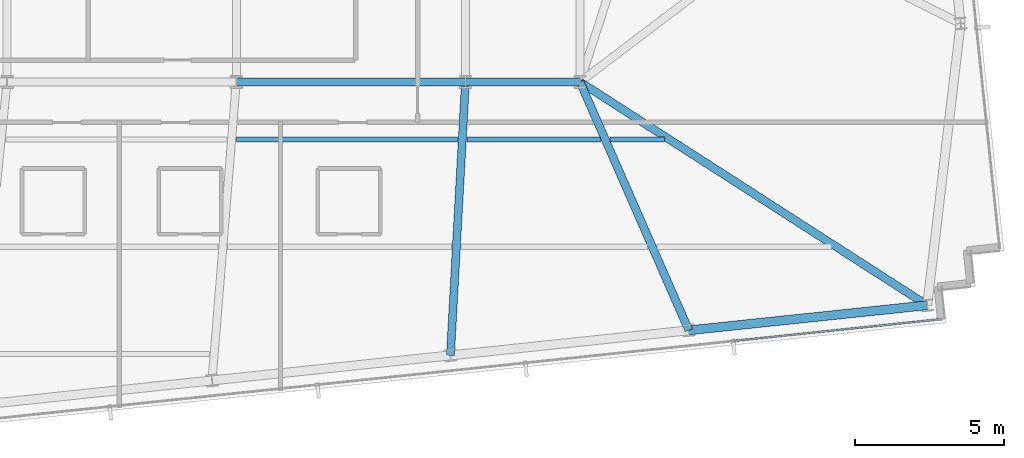
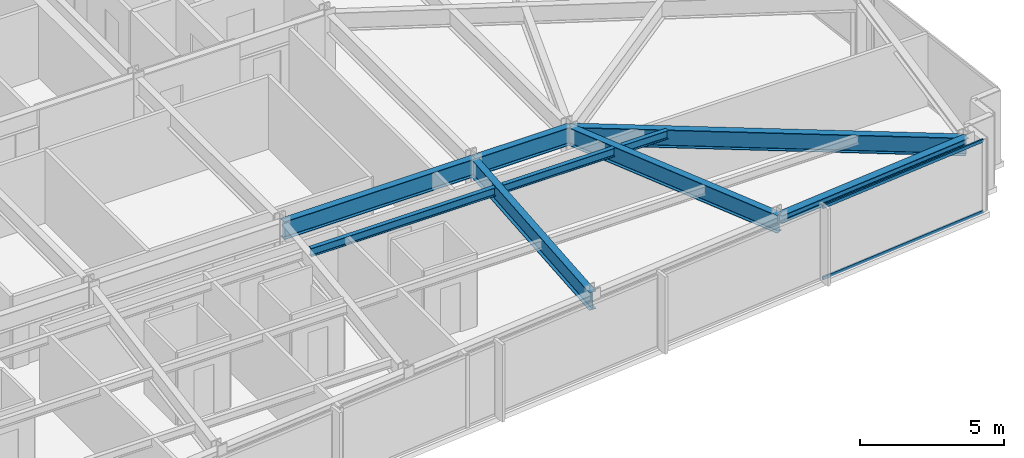
# One storey, part 16 of 33: 9 beams, 2 members, 1 element without a shape of its own.
"""IFC4 building model written with IfcOpenShell, lengths in metres."""

from ifc_helpers import new_model, si_unit, direction, frame, origin, origin_2d, place, context, subcontext, project, spatial, hollow_rectangle, i_section, extrude, material, material_profile, profile_set, type_object, element, aggregate, save


model = new_model("IFC4")

# Units and contexts
model_context = context("Model", 3, precision=1e-05, world=origin(), true_north=direction((0.0, 1.0)))
body_context = subcontext(model_context, "Body", "Model", "MODEL_VIEW")
ifc_project = project(units=[si_unit("LENGTHUNIT", "METRE"), si_unit("AREAUNIT", "SQUARE_METRE"), si_unit("VOLUMEUNIT", "CUBIC_METRE"), si_unit("PLANEANGLEUNIT", "RADIAN"), si_unit("MASSUNIT", "GRAM", prefix="KILO")], contexts=[model_context])

# Site, building, storey
site_placement = place(None, origin())
site = spatial("IfcSite", under=ifc_project, at=site_placement, CompositionType="ELEMENT")
building_placement = place(site_placement, origin())
building = spatial("IfcBuilding", under=site, at=building_placement, Name="Yelkora Congress Tower", CompositionType="ELEMENT")
storey_placement = place(building_placement, frame((0.0, 0.0, 224.300048828125)))
storey = spatial("IfcBuildingStorey", under=building, at=storey_placement, Name="L62", CompositionType="ELEMENT", Elevation=224.300048828125)

# Beams
ifc_material_1 = material(Name="Steel S355J2", Category="steel")
ifc_material_profile_1 = material_profile(ifc_material_1, i_section(OverallWidth=0.26708984375, OverallDepth=0.761962890625, WebThickness=0.014404296875, FlangeThickness=0.021484375, FilletRadius=0.01708984375, at=origin_2d()), Name="IPE 750x173")
ifc_profile_set_1 = profile_set([ifc_material_profile_1], Name="Steel S355J2")
beam_type_1 = type_object("IfcBeamType", Name="BM-GIRD-IPE750", PredefinedType="BEAM", material=ifc_profile_set_1)
beam_1_placement = place(storey_placement, frame((46.080078125, 25.199951171875, 2.698974609375), z_axis=(1.0, 0.0, 0.0), x_axis=(0.0, 1.0, 0.0)))
element("IfcBeam", 1, at=beam_1_placement, inside=storey, type_object=beam_type_1, Name="L62 Spine Grid D Girder 5", PredefinedType="BEAM", context=body_context, shape_type="SweptSolid", body=[
    extrude(i_section(OverallWidth=0.26708984375, OverallDepth=0.761962890625, WebThickness=0.014404296875, FlangeThickness=0.021484375, FilletRadius=0.01708984375, at=origin_2d()), origin(), (0.0, 0.0, 1.0), 7.679931640625),
])
beam_2_placement = place(storey_placement, frame((53.760009765625, 25.199951171875, 2.698974609375), z_axis=(1.0, 0.0, 0.0), x_axis=(0.0, 1.0, 0.0)))
element("IfcBeam", 2, at=beam_2_placement, inside=storey, type_object=beam_type_1, Name="L62 Spine Grid D Girder 6", PredefinedType="BEAM", context=body_context, shape_type="SweptSolid", body=[
    extrude(i_section(OverallWidth=0.26708984375, OverallDepth=0.761962890625, WebThickness=0.014404296875, FlangeThickness=0.021484375, FilletRadius=0.01708984375, at=origin_2d()), origin(), (0.0, 0.0, 1.0), 3.840087890625),
])
beam_3_placement = place(storey_placement, frame((53.25634765625, 16.037353515625, 2.698974609375), z_axis=(0.054886497042, 0.998492600094, 0.0), x_axis=(-0.998492600094, 0.054886497042, 0.0)))
element("IfcBeam", 3, at=beam_3_placement, inside=storey, type_object=beam_type_1, Name="L62 Primary Frame Girder S05", PredefinedType="BEAM", context=body_context, shape_type="SweptSolid", body=[
    extrude(i_section(OverallWidth=0.26708984375, OverallDepth=0.761962890625, WebThickness=0.014404296875, FlangeThickness=0.021484375, FilletRadius=0.01708984375, at=origin_2d()), origin(), (0.0, 0.0, 1.0), 9.176513671875),
])
beam_4_placement = place(storey_placement, frame((61.24560546875, 16.877197265625, 2.698974609375), z_axis=(-0.401216289608, 0.915983345347, 0.0), x_axis=(-0.915983345347, -0.401216289608, 0.0)))
element("IfcBeam", 4, at=beam_4_placement, inside=storey, type_object=beam_type_1, Name="L62 Primary Frame Girder S06", PredefinedType="BEAM", context=body_context, shape_type="SweptSolid", body=[
    extrude(i_section(OverallWidth=0.26708984375, OverallDepth=0.761962890625, WebThickness=0.014404296875, FlangeThickness=0.021484375, FilletRadius=0.01708984375, at=origin_2d()), origin(), (0.0, 0.0, 1.0), 9.086181640625),
])
beam_5_placement = place(storey_placement, frame((69.235107421875, 17.716796875, 2.698974609375), z_axis=(-0.841063201017, 0.54093686498, 0.0), x_axis=(-0.54093686498, -0.841063201017, 0.0)))
element("IfcBeam", 5, at=beam_5_placement, inside=storey, type_object=beam_type_1, Name="L62 Primary Frame Girder S07", PredefinedType="BEAM", context=body_context, shape_type="SweptSolid", body=[
    extrude(i_section(OverallWidth=0.26708984375, OverallDepth=0.761962890625, WebThickness=0.014404296875, FlangeThickness=0.021484375, FilletRadius=0.01708984375, at=origin_2d()), origin(), (0.0, 0.0, 1.0), 13.833740234375),
])
ifc_material_profile_2 = material_profile(ifc_material_1, i_section(OverallWidth=0.169921875, OverallDepth=0.360107421875, WebThickness=0.008056640625, FlangeThickness=0.0126953125, FilletRadius=0.01806640625, at=origin_2d()), Name="IPE 360")
ifc_profile_set_2 = profile_set([ifc_material_profile_2], Name="Steel S355J2")
beam_type_2 = type_object("IfcBeamType", Name="BM-JOIST-IPE360", PredefinedType="JOIST", material=ifc_profile_set_2)
beam_6_placement = place(storey_placement, frame((46.083740234375, 23.278564453125, 2.89990234375), z_axis=(1.0, 0.0, 0.0), x_axis=(0.0, 1.0, 0.0)))
element("IfcBeam", 6, at=beam_6_placement, inside=storey, type_object=beam_type_2, Name="L62 Composite Floor Joist 12", PredefinedType="JOIST", context=body_context, shape_type="SweptSolid", body=[
    extrude(i_section(OverallWidth=0.169921875, OverallDepth=0.360107421875, WebThickness=0.008056640625, FlangeThickness=0.0126953125, FilletRadius=0.01806640625, at=origin_2d()), origin(), (0.0, 0.0, 1.0), 7.41064453125),
])
beam_7_placement = place(storey_placement, frame((53.814453125, 23.278564453125, 2.89990234375), z_axis=(1.0, 0.0, 0.0), x_axis=(0.0, 1.0, 0.0)))
element("IfcBeam", 7, at=beam_7_placement, inside=storey, type_object=beam_type_2, Name="L62 Composite Floor Joist 13", PredefinedType="JOIST", context=body_context, shape_type="SweptSolid", body=[
    extrude(i_section(OverallWidth=0.169921875, OverallDepth=0.360107421875, WebThickness=0.008056640625, FlangeThickness=0.0126953125, FilletRadius=0.01806640625, at=origin_2d()), origin(), (0.0, 0.0, 1.0), 4.46728515625),
])
beam_8_placement = place(storey_placement, frame((58.601806640625, 23.278564453125, 2.89990234375), z_axis=(1.0, 0.0, 0.0), x_axis=(0.0, 1.0, 0.0)))
element("IfcBeam", 8, at=beam_8_placement, inside=storey, type_object=beam_type_2, Name="L62 Composite Floor Joist 14", PredefinedType="JOIST", context=body_context, shape_type="SweptSolid", body=[
    extrude(i_section(OverallWidth=0.169921875, OverallDepth=0.360107421875, WebThickness=0.008056640625, FlangeThickness=0.0126953125, FilletRadius=0.01806640625, at=origin_2d()), origin(), (0.0, 0.0, 1.0), 1.82568359375),
])
ifc_material_profile_3 = material_profile(ifc_material_1, i_section(OverallWidth=0.300048828125, OverallDepth=0.340087890625, WebThickness=0.011962890625, FlangeThickness=0.021484375, FilletRadius=0.027099609375, at=origin_2d()), Name="HEB 340")
ifc_profile_set_3 = profile_set([ifc_material_profile_3], Name="Steel S355J2")
beam_type_3 = type_object("IfcBeamType", Name="BM-SPAN-HEB340", PredefinedType="SPANDREL", material=ifc_profile_set_3)
beam_9_placement = place(storey_placement, frame((61.24560546875, 16.877197265625, 2.909912109375), z_axis=(0.99452358891, 0.104512349038, 0.0), x_axis=(-0.104512349038, 0.99452358891, 0.0)))
element("IfcBeam", 9, at=beam_9_placement, inside=storey, type_object=beam_type_3, Name="L62 Perimeter Beam 8", PredefinedType="SPANDREL", context=body_context, shape_type="SweptSolid", body=[
    extrude(i_section(OverallWidth=0.300048828125, OverallDepth=0.340087890625, WebThickness=0.011962890625, FlangeThickness=0.021484375, FilletRadius=0.027099609375, at=origin_2d()), origin(), (0.0, 0.0, 1.0), 8.033447265625),
])

# Curtain wall, members
ifc_material_2 = material(Name="Anodised aluminium and insulated glass", Category="aluminium")
curtain_wall_type = type_object("IfcCurtainWallType", Name="CW-SYS-B4", PredefinedType="NOTDEFINED", material=ifc_material_2)
curtain_wall_placement = place(storey_placement, origin())
curtain_wall = element("IfcCurtainWall", 10, at=curtain_wall_placement, inside=storey, type_object=curtain_wall_type, Name="L62 Unitised Curtain Wall 20", PredefinedType="NOTDEFINED")
ifc_material_3 = material(Name="Anodised aluminium 6063-T6", Category="aluminium")
ifc_material_profile_4 = material_profile(ifc_material_3, hollow_rectangle(XDim=0.06005859375, YDim=0.1298828125, WallThickness=0.00390625, at=origin_2d()), Name="ALU 60x130x4")
ifc_profile_set_4 = profile_set([ifc_material_profile_4], Name="Anodised aluminium 6063-T6")
member_type = type_object("IfcMemberType", Name="MEM-TR-B4", PredefinedType="USERDEFINED", material=ifc_profile_set_4)
member_1_placement = place(storey_placement, frame((69.63134765625, 17.24560546875, 0.030029296875), z_axis=(-0.994523648539, -0.104511781616, 0.0), x_axis=(0.104511781616, -0.994523648539, 0.0)))
member_1 = element("IfcMember", 11, at=member_1_placement, type_object=member_type, Name="CW-B4 transom 1.1", ObjectType="TRANSOM", PredefinedType="USERDEFINED", context=body_context, shape_type="SweptSolid", body=[
    extrude(hollow_rectangle(XDim=0.06005859375, YDim=0.1298828125, WallThickness=0.00390625, at=origin_2d()), origin(), (0.0, 0.0, 1.0), 6.9052734375),
])
member_2_placement = place(storey_placement, frame((69.63134765625, 17.24560546875, 3.050048828125), z_axis=(-0.994523648539, -0.104511781616, 0.0), x_axis=(0.104511781616, -0.994523648539, 0.0)))
member_2 = element("IfcMember", 12, at=member_2_placement, type_object=member_type, Name="CW-B4 transom 1.2", ObjectType="TRANSOM", PredefinedType="USERDEFINED", context=body_context, shape_type="SweptSolid", body=[
    extrude(hollow_rectangle(XDim=0.06005859375, YDim=0.1298828125, WallThickness=0.00390625, at=origin_2d()), origin(), (0.0, 0.0, 1.0), 6.9052734375),
])
aggregate(curtain_wall, [member_1, member_2])

save(model, "model.ifc")
